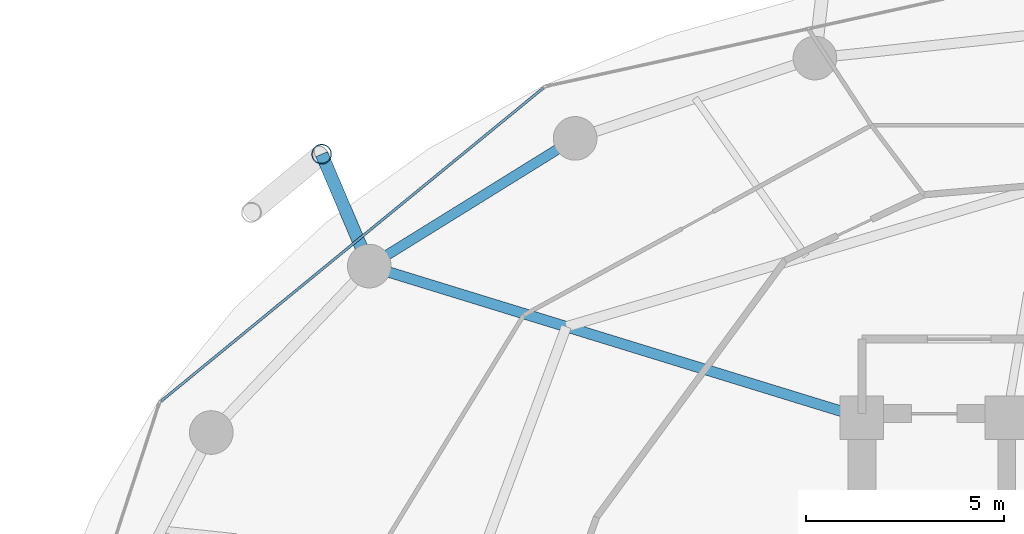
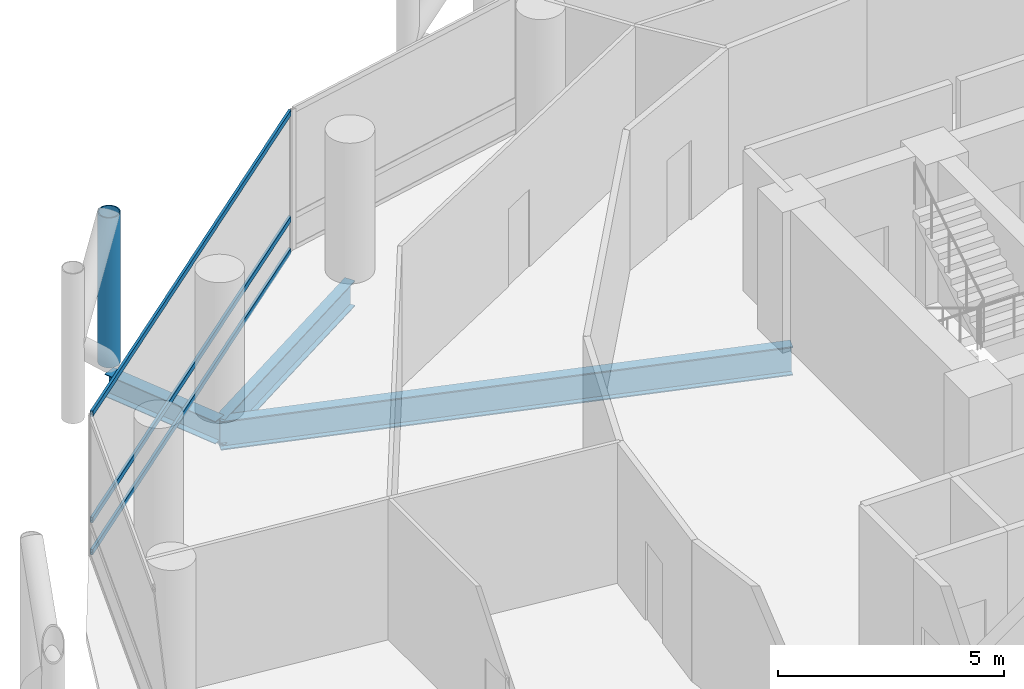
# One storey, part 14 of 25: 4 members, 3 beams, 1 element without a shape of its own.
"""IFC4 building model written with IfcOpenShell, lengths in metres."""

from ifc_helpers import new_model, si_unit, direction, frame, origin, origin_2d, place, context, subcontext, project, spatial, hollow_rectangle, hollow_circle, i_section, extrude, material, layer, layer_set, material_profile, profile_set, type_object, element, aggregate, save


model = new_model("IFC4")

# Units and contexts
model_context = context("Model", 3, precision=1e-05, world=origin(), true_north=direction((0.0, 1.0)))
body_context = subcontext(model_context, "Body", "Model", "MODEL_VIEW")
ifc_project = project(units=[si_unit("LENGTHUNIT", "METRE"), si_unit("AREAUNIT", "SQUARE_METRE"), si_unit("VOLUMEUNIT", "CUBIC_METRE"), si_unit("PLANEANGLEUNIT", "RADIAN"), si_unit("MASSUNIT", "GRAM", prefix="KILO")], contexts=[model_context])

# Site, building, storey
site_placement = place(None, origin())
site = spatial("IfcSite", under=ifc_project, at=site_placement, CompositionType="ELEMENT")
building_placement = place(site_placement, origin())
building = spatial("IfcBuilding", under=site, at=building_placement, Name="Nuhasar Tower", CompositionType="ELEMENT")
storey_placement = place(building_placement, frame((0.0, 0.0, 65.550048828125)))
storey = spatial("IfcBuildingStorey", under=building, at=storey_placement, Name="L15", CompositionType="ELEMENT", Elevation=65.550048828125)

# Beams
ifc_material_1 = material(Name="Steel S355", Category="steel")
ifc_material_profile_1 = material_profile(ifc_material_1, i_section(OverallWidth=0.26611328125, OverallDepth=0.779052734375, WebThickness=0.0166015625, FlangeThickness=0.030029296875, at=origin_2d()), Name="W30X148")
ifc_profile_set_1 = profile_set([ifc_material_profile_1], Name="Steel S355")
beam_type_1 = type_object("IfcBeamType", Name="BM-RAD-W30X148", PredefinedType="BEAM", material=ifc_profile_set_1)
beam_1_placement = place(storey_placement, frame((33.699951171875, 37.300048828125, -0.64013671875), z_axis=(-0.955789576103, 0.294051502653, 0.0), x_axis=(-0.294051502653, -0.955789576103, 0.0)))
element("IfcBeam", 1, at=beam_1_placement, inside=storey, type_object=beam_type_1, Name="L15 Radial Floor Girder 07", PredefinedType="BEAM", context=body_context, shape_type="SweptSolid", body=[
    extrude(i_section(OverallWidth=0.26611328125, OverallDepth=0.779052734375, WebThickness=0.0166015625, FlangeThickness=0.030029296875, at=origin_2d()), origin(), (0.0, 0.0, 1.0), 12.987060546875),
])
ifc_material_profile_2 = material_profile(ifc_material_1, i_section(OverallWidth=0.256103515625, OverallDepth=0.693115234375, WebThickness=0.014404296875, FlangeThickness=0.023681640625, at=origin_2d()), Name="W27X114")
ifc_profile_set_2 = profile_set([ifc_material_profile_2], Name="Steel S355")
beam_type_2 = type_object("IfcBeamType", Name="BM-RING-W27X114", PredefinedType="SPANDREL", material=ifc_profile_set_2)
beam_2_placement = place(storey_placement, frame((26.47509765625, 44.3369140625, -0.59716796875), z_axis=(-0.849795216549, -0.527112976439, 0.0), x_axis=(0.527112976439, -0.849795216549, 0.0)))
element("IfcBeam", 2, at=beam_2_placement, inside=storey, type_object=beam_type_2, Name="L15 Perimeter Ring Spandrel 09", PredefinedType="SPANDREL", context=body_context, shape_type="SweptSolid", body=[
    extrude(i_section(OverallWidth=0.256103515625, OverallDepth=0.693115234375, WebThickness=0.014404296875, FlangeThickness=0.023681640625, at=origin_2d()), origin(), (0.0, 0.0, 1.0), 6.10498046875),
])
ifc_material_profile_3 = material_profile(ifc_material_1, i_section(OverallWidth=0.323974609375, OverallDepth=0.611083984375, WebThickness=0.0126953125, FlangeThickness=0.01904296875, at=origin_2d()), Name="W24X104")
ifc_profile_set_3 = profile_set([ifc_material_profile_3], Name="Steel S355")
beam_type_3 = type_object("IfcBeamType", Name="BM-TIE-W24X104", PredefinedType="BEAM", material=ifc_profile_set_3)
beam_3_placement = place(storey_placement, frame((21.287109375, 41.118896484375, -0.554931640625), z_axis=(-0.391601084021, 0.920135093882, 0.0), x_axis=(-0.920135093882, -0.391601084021, 0.0)))
element("IfcBeam", 3, at=beam_3_placement, inside=storey, type_object=beam_type_3, Name="L15 Exoskeleton Node Tie Beam 05", PredefinedType="BEAM", context=body_context, shape_type="SweptSolid", body=[
    extrude(i_section(OverallWidth=0.323974609375, OverallDepth=0.611083984375, WebThickness=0.0126953125, FlangeThickness=0.01904296875, at=origin_2d()), origin(), (0.0, 0.0, 1.0), 3.06494140625),
])

# Curtain wall, members
ifc_material_2 = material(Name="Aluminium 6063-T6", Category="aluminium")
ifc_layer = layer(ifc_material_2, 0.199951171875)
ifc_layer_set = layer_set([ifc_layer], Name="Aluminium 6063-T6")
curtain_wall_type = type_object("IfcCurtainWallType", Name="CW-Z1-OFF", PredefinedType="NOTDEFINED", material=ifc_layer_set)
curtain_wall_placement = place(storey_placement, origin())
curtain_wall = element("IfcCurtainWall", 4, at=curtain_wall_placement, inside=storey, type_object=curtain_wall_type, Name="L15 Unitised Curtain Wall 05", PredefinedType="NOTDEFINED")
ifc_material_profile_4 = material_profile(ifc_material_2, hollow_rectangle(XDim=0.06494140625, YDim=0.14990234375, WallThickness=0.00439453125, at=origin_2d()), Name="CWT-2")
ifc_profile_set_4 = profile_set([ifc_material_profile_4], Name="Aluminium 6063-T6")
member_type_1 = type_object("IfcMemberType", Name="CW-TRN-S2", PredefinedType="USERDEFINED", material=ifc_profile_set_4)
member_1_placement = place(storey_placement, frame((25.669677734375, 45.603759765625, 0.032470703125), z_axis=(-0.773540851599, -0.633746440548, 0.0), x_axis=(0.633746440548, -0.773540851599, 0.0)))
member_1 = element("IfcMember", 5, at=member_1_placement, type_object=member_type_1, Name="CW-Z1 transom 1.1", ObjectType="TRANSOM", PredefinedType="USERDEFINED", context=body_context, shape_type="SweptSolid", body=[
    extrude(hollow_rectangle(XDim=0.06494140625, YDim=0.14990234375, WallThickness=0.00439453125, at=origin_2d()), origin(), (0.0, 0.0, 1.0), 12.43798828125),
])
member_2_placement = place(storey_placement, frame((25.669677734375, 45.603759765625, 0.89990234375), z_axis=(-0.773540851599, -0.633746440548, 0.0), x_axis=(0.633746440548, -0.773540851599, 0.0)))
member_2 = element("IfcMember", 6, at=member_2_placement, type_object=member_type_1, Name="CW-Z1 transom 1.2", ObjectType="TRANSOM", PredefinedType="USERDEFINED", context=body_context, shape_type="SweptSolid", body=[
    extrude(hollow_rectangle(XDim=0.06494140625, YDim=0.14990234375, WallThickness=0.00439453125, at=origin_2d()), origin(), (0.0, 0.0, 1.0), 12.43798828125),
])
member_3_placement = place(storey_placement, frame((25.669677734375, 45.603759765625, 3.767333984375), z_axis=(-0.773540851599, -0.633746440548, 0.0), x_axis=(0.633746440548, -0.773540851599, 0.0)))
member_3 = element("IfcMember", 7, at=member_3_placement, type_object=member_type_1, Name="CW-Z1 transom 1.3", ObjectType="TRANSOM", PredefinedType="USERDEFINED", context=body_context, shape_type="SweptSolid", body=[
    extrude(hollow_rectangle(XDim=0.06494140625, YDim=0.14990234375, WallThickness=0.00439453125, at=origin_2d()), origin(), (0.0, 0.0, 1.0), 12.43798828125),
])
aggregate(curtain_wall, [member_1, member_2, member_3])

# Member
ifc_material_3 = material(Name="Steel S460", Category="steel")
ifc_material_profile_5 = material_profile(ifc_material_3, hollow_circle(Radius=0.25390625, WallThickness=0.025390625, at=origin_2d()), Name="HSS508X25.4")
ifc_profile_set_5 = profile_set([ifc_material_profile_5], Name="Steel S460")
member_type_2 = type_object("IfcMemberType", Name="EXO-BRONZE-508", PredefinedType="BRACE", material=ifc_profile_set_5)
member_4_placement = place(storey_placement, frame((20.0869140625, 43.93896484375, 0.0), z_axis=(0.0, 0.0, 1.0), x_axis=(1.0, 0.0, 0.0)))
element("IfcMember", 8, at=member_4_placement, inside=storey, type_object=member_type_2, Name="L15 Exoskeleton Chord Column EC-05A", PredefinedType="BRACE", context=body_context, shape_type="SweptSolid", body=[
    extrude(hollow_circle(Radius=0.25390625, WallThickness=0.025390625, at=origin_2d()), origin(), (0.0, 0.0, 1.0), 4.050048828125),
])

save(model, "model.ifc")
